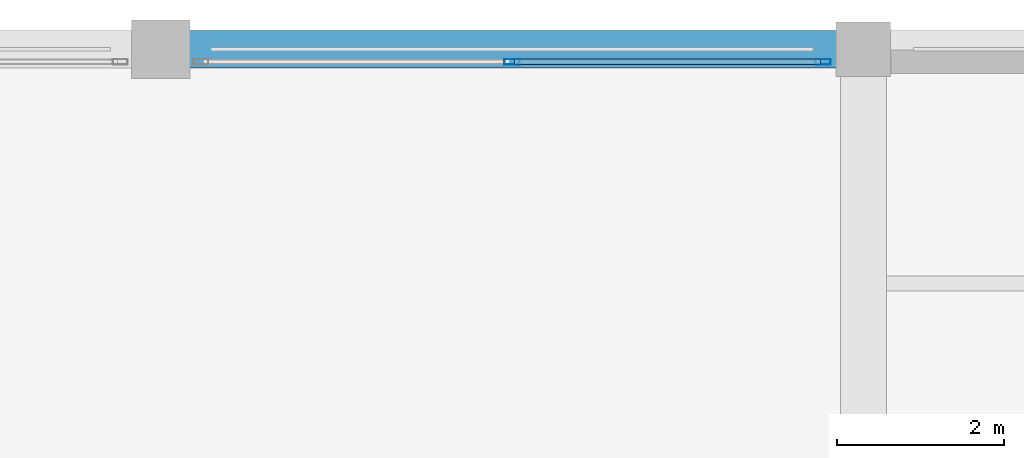
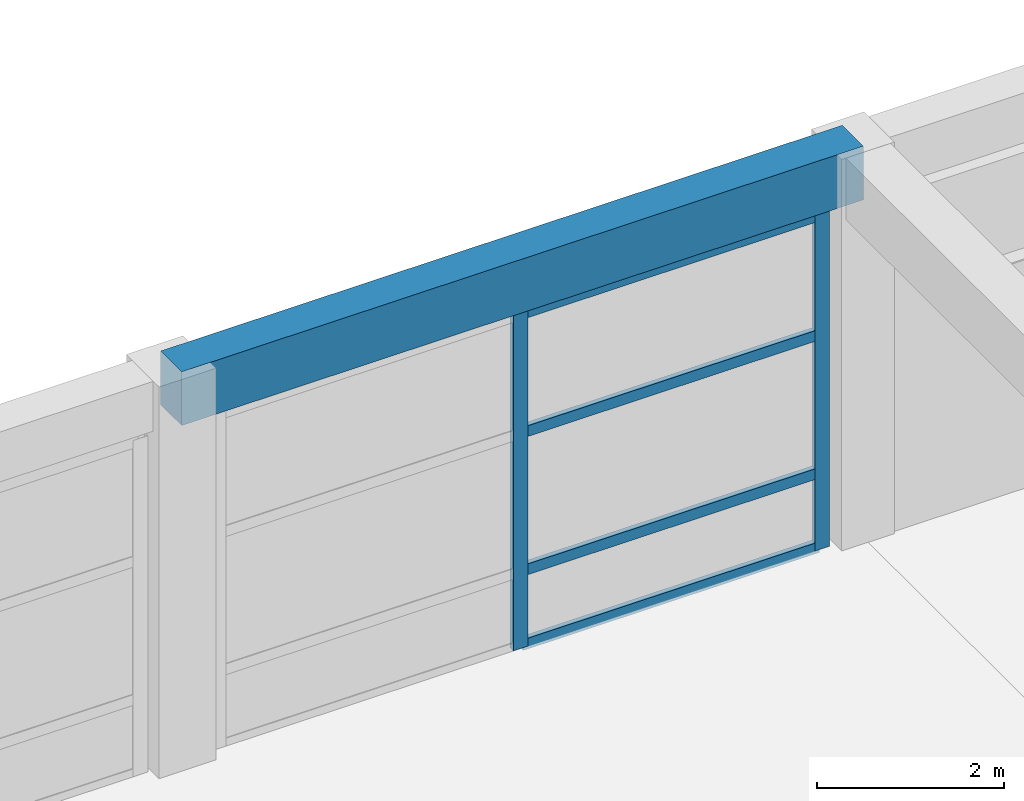
# One storey, part 46 of 96: 6 members, 1 beam, 1 element without a shape of its own.
"""IFC4 building model written with IfcOpenShell, lengths in metres."""

from ifc_helpers import new_model, si_unit, direction, frame, origin, origin_2d, place, context, subcontext, project, spatial, rectangle, hollow_rectangle, extrude, material, material_profile, profile_set, type_object, element, aggregate, save


model = new_model("IFC4")

# Units and contexts
model_context = context("Model", 3, precision=1e-05, world=origin(), true_north=direction((0.0, 1.0)))
body_context = subcontext(model_context, "Body", "Model", "MODEL_VIEW")
ifc_project = project(units=[si_unit("LENGTHUNIT", "METRE"), si_unit("AREAUNIT", "SQUARE_METRE"), si_unit("VOLUMEUNIT", "CUBIC_METRE"), si_unit("PLANEANGLEUNIT", "RADIAN"), si_unit("MASSUNIT", "GRAM", prefix="KILO")], contexts=[model_context])

# Site, building, storey
site_placement = place(None, origin())
site = spatial("IfcSite", under=ifc_project, at=site_placement, CompositionType="ELEMENT")
building_placement = place(site_placement, origin())
building = spatial("IfcBuilding", under=site, at=building_placement, Name="Almacenes y Pasaje Nevantli", CompositionType="ELEMENT")
storey_placement = place(building_placement, frame((0.0, 0.0, 6.0)))
storey = spatial("IfcBuildingStorey", under=building, at=storey_placement, Name="L02", CompositionType="ELEMENT", Elevation=6.0)

# Beam
ifc_material_1 = material(Name="Concrete C35/45", Category="concrete")
ifc_material_profile_1 = material_profile(ifc_material_1, rectangle(XDim=0.449951171875, YDim=0.699951171875, at=origin_2d()), Name="RC-BM-450x700")
ifc_profile_set_1 = profile_set([ifc_material_profile_1], Name="Concrete C35/45")
beam_type = type_object("IfcBeamType", Name="BM-RC-450x700", PredefinedType="SPANDREL", material=ifc_profile_set_1)
beam_placement = place(storey_placement, frame((84.0, 117.60009765625, 4.75), z_axis=(1.0, 0.0, 0.0), x_axis=(0.0, 1.0, 0.0)))
element("IfcBeam", 1, at=beam_placement, inside=storey, type_object=beam_type, Name="L02 East-West Reinforced Concrete Beam #1956", PredefinedType="SPANDREL", context=body_context, shape_type="SweptSolid", body=[
    extrude(rectangle(XDim=0.449951171875, YDim=0.699951171875, at=origin_2d()), origin(), (0.0, 0.0, 1.0), 8.39990234375),
])

# Curtain wall, members
ifc_material_2 = material(Name="Thermally Broken Aluminium and Low-E Glass", Category="aluminium")
curtain_wall_type = type_object("IfcCurtainWallType", Name="CW-STF-ARCADE", PredefinedType="USERDEFINED", material=ifc_material_2)
curtain_wall_placement = place(storey_placement, origin())
curtain_wall = element("IfcCurtainWall", 2, at=curtain_wall_placement, inside=storey, type_object=curtain_wall_type, Name="L02 North Arcade Monumental Portal Curtain Wall Bay 11", ObjectType="STOREFRONT GLAZING", PredefinedType="USERDEFINED")
ifc_material_3 = material(Name="Thermally Broken Anodized Aluminium", Category="aluminium")
ifc_material_profile_2 = material_profile(ifc_material_3, hollow_rectangle(XDim=0.06494140625, YDim=0.179931640625, WallThickness=0.00390625, at=origin_2d()), Name="ALU-MUL-65x180")
ifc_profile_set_2 = profile_set([ifc_material_profile_2], Name="Thermally Broken Anodized Aluminium")
member_type_1 = type_object("IfcMemberType", Name="CW-MUL-200", PredefinedType="MULLION", material=ifc_profile_set_2)
member_1_placement = place(storey_placement, frame((88.199951171875, 117.449951171875, 0.0), z_axis=(0.0, 0.0, 1.0), x_axis=(0.0, 1.0, 0.0)))
member_1 = element("IfcMember", 3, at=member_1_placement, type_object=member_type_1, Name="CW-L02-007 mullion 2", PredefinedType="MULLION", context=body_context, shape_type="SweptSolid", body=[
    extrude(hollow_rectangle(XDim=0.06494140625, YDim=0.179931640625, WallThickness=0.00390625, at=origin_2d()), origin(), (0.0, 0.0, 1.0), 4.3798828125),
])
member_2_placement = place(storey_placement, frame((91.91748046875, 117.449951171875, 0.0), z_axis=(0.0, 0.0, 1.0), x_axis=(0.0, 1.0, 0.0)))
member_2 = element("IfcMember", 4, at=member_2_placement, type_object=member_type_1, Name="CW-L02-007 mullion 3", PredefinedType="MULLION", context=body_context, shape_type="SweptSolid", body=[
    extrude(hollow_rectangle(XDim=0.06494140625, YDim=0.179931640625, WallThickness=0.00390625, at=origin_2d()), origin(), (0.0, 0.0, 1.0), 4.3798828125),
])
ifc_material_4 = material(Name="Thermally Broken Anodized Aluminium", Category="aluminium")
ifc_material_profile_3 = material_profile(ifc_material_4, hollow_rectangle(XDim=0.06494140625, YDim=0.139892578125, WallThickness=0.00390625, at=origin_2d()), Name="ALU-TRN-65x140")
ifc_profile_set_3 = profile_set([ifc_material_profile_3], Name="Thermally Broken Anodized Aluminium")
member_type_2 = type_object("IfcMemberType", Name="CW-TRN-150", PredefinedType="USERDEFINED", material=ifc_profile_set_3)
member_3_placement = place(storey_placement, frame((88.232421875, 117.449951171875, 0.032470703125), z_axis=(1.0, 0.0, 0.0), x_axis=(0.0, 1.0, 0.0)))
member_3 = element("IfcMember", 5, at=member_3_placement, type_object=member_type_2, Name="CW-L02-007 transom 2.1", ObjectType="TRANSOM", PredefinedType="USERDEFINED", context=body_context, shape_type="SweptSolid", body=[
    extrude(hollow_rectangle(XDim=0.06494140625, YDim=0.139892578125, WallThickness=0.00390625, at=origin_2d()), origin(), (0.0, 0.0, 1.0), 3.652587890625),
])
member_4_placement = place(storey_placement, frame((88.232421875, 117.449951171875, 1.0), z_axis=(1.0, 0.0, 0.0), x_axis=(0.0, 1.0, 0.0)))
member_4 = element("IfcMember", 6, at=member_4_placement, type_object=member_type_2, Name="CW-L02-007 transom 2.2", ObjectType="TRANSOM", PredefinedType="USERDEFINED", context=body_context, shape_type="SweptSolid", body=[
    extrude(hollow_rectangle(XDim=0.06494140625, YDim=0.139892578125, WallThickness=0.00390625, at=origin_2d()), origin(), (0.0, 0.0, 1.0), 3.652587890625),
])
member_5_placement = place(storey_placement, frame((88.232421875, 117.449951171875, 2.800048828125), z_axis=(1.0, 0.0, 0.0), x_axis=(0.0, 1.0, 0.0)))
member_5 = element("IfcMember", 7, at=member_5_placement, type_object=member_type_2, Name="CW-L02-007 transom 2.3", ObjectType="TRANSOM", PredefinedType="USERDEFINED", context=body_context, shape_type="SweptSolid", body=[
    extrude(hollow_rectangle(XDim=0.06494140625, YDim=0.139892578125, WallThickness=0.00390625, at=origin_2d()), origin(), (0.0, 0.0, 1.0), 3.652587890625),
])
member_6_placement = place(storey_placement, frame((88.232421875, 117.449951171875, 4.347412109375), z_axis=(1.0, 0.0, 0.0), x_axis=(0.0, 1.0, 0.0)))
member_6 = element("IfcMember", 8, at=member_6_placement, type_object=member_type_2, Name="CW-L02-007 transom 2.4", ObjectType="TRANSOM", PredefinedType="USERDEFINED", context=body_context, shape_type="SweptSolid", body=[
    extrude(hollow_rectangle(XDim=0.06494140625, YDim=0.139892578125, WallThickness=0.00390625, at=origin_2d()), origin(), (0.0, 0.0, 1.0), 3.652587890625),
])
aggregate(curtain_wall, [member_1, member_2, member_3, member_4, member_5, member_6])

save(model, "model.ifc")
